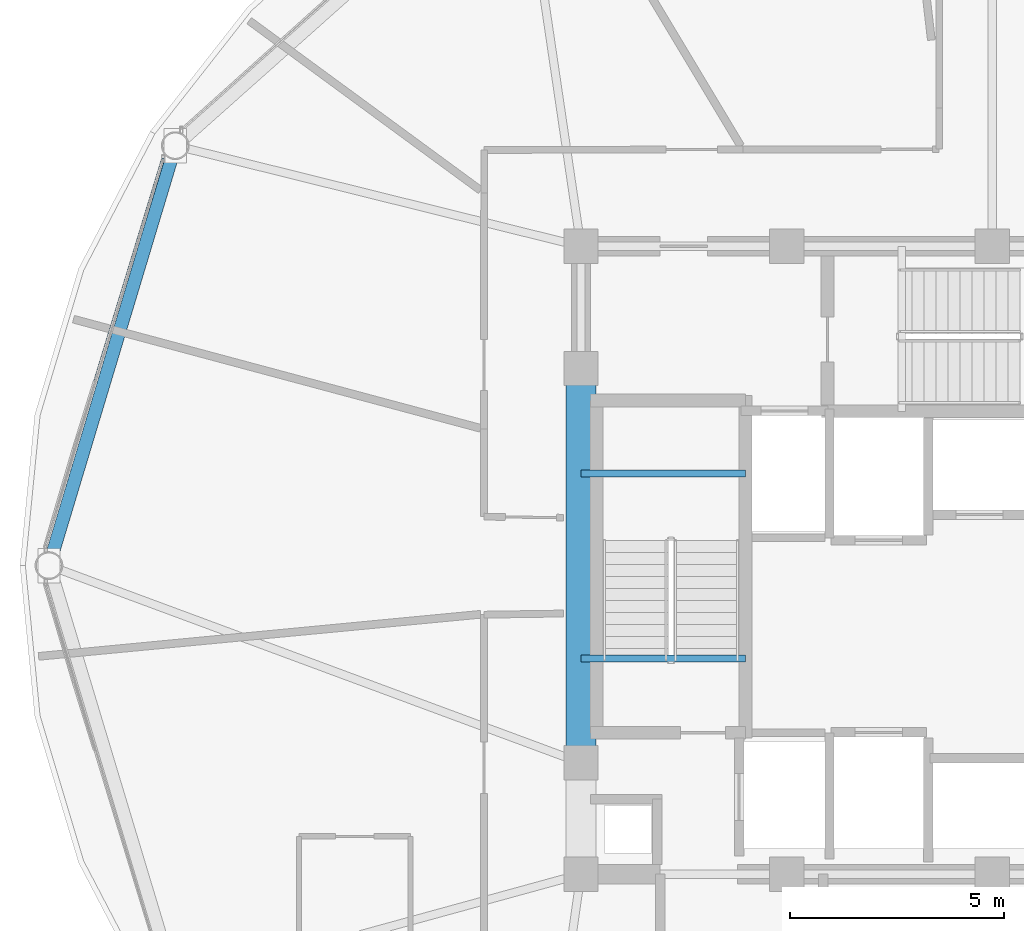
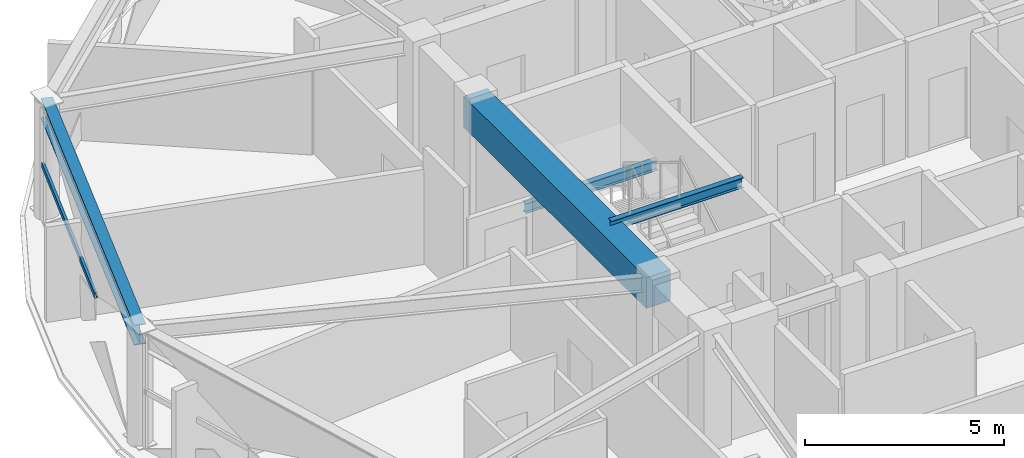
# One storey, part 8 of 28: 4 beams, 1 member, 1 element without a shape of its own.
"""IFC4 building model written with IfcOpenShell, lengths in metres."""

from ifc_helpers import new_model, si_unit, direction, frame, origin, origin_2d, place, context, subcontext, project, spatial, rectangle, hollow_rectangle, i_section, extrude, material, layer, layer_set, material_profile, profile_set, type_object, element, aggregate, save


model = new_model("IFC4")

# Units and contexts
model_context = context("Model", 3, precision=1e-05, world=origin(), true_north=direction((0.0, 1.0)))
body_context = subcontext(model_context, "Body", "Model", "MODEL_VIEW")
ifc_project = project(units=[si_unit("LENGTHUNIT", "METRE"), si_unit("AREAUNIT", "SQUARE_METRE"), si_unit("VOLUMEUNIT", "CUBIC_METRE"), si_unit("PLANEANGLEUNIT", "RADIAN"), si_unit("MASSUNIT", "GRAM", prefix="KILO")], contexts=[model_context])

# Site, building, storey
site_placement = place(None, origin())
site = spatial("IfcSite", under=ifc_project, at=site_placement, CompositionType="ELEMENT")
building_placement = place(site_placement, origin())
building = spatial("IfcBuilding", under=site, at=building_placement, Name="Vantalir Tower", CompositionType="ELEMENT")
storey_placement = place(building_placement, frame((0.0, 0.0, 223.64990234375)))
storey = spatial("IfcBuildingStorey", under=building, at=storey_placement, Name="L56", CompositionType="ELEMENT", Elevation=223.64990234375)

# Beams
ifc_material_1 = material(Name="Concrete C60/75", Category="concrete")
ifc_material_profile_1 = material_profile(ifc_material_1, rectangle(XDim=0.699951171875, YDim=0.949951171875, at=origin_2d()), Name="Concrete C60/75")
ifc_profile_set_1 = profile_set([ifc_material_profile_1], Name="Concrete C60/75")
beam_type_1 = type_object("IfcBeamType", Name="BM-CB-700x950", PredefinedType="USERDEFINED", material=ifc_profile_set_1)
beam_1_placement = place(storey_placement, frame((21.89990234375, 29.60009765625, 3.09521484375), z_axis=(0.0, -1.0, 0.0), x_axis=(1.0, 0.0, 0.0)))
element("IfcBeam", 1, at=beam_1_placement, inside=storey, type_object=beam_type_1, Name="L56 Core Coupling Girder 13", ObjectType="GIRDER", PredefinedType="USERDEFINED", context=body_context, shape_type="SweptSolid", body=[
    extrude(rectangle(XDim=0.699951171875, YDim=0.949951171875, at=origin_2d()), origin(), (0.0, 0.0, 1.0), 9.2001953125),
])
ifc_material_2 = material(Name="Steel S355", Category="steel")
ifc_material_profile_2 = material_profile(ifc_material_2, i_section(OverallWidth=0.166015625, OverallDepth=0.306884765625, WebThickness=0.006591796875, FlangeThickness=0.01171875, at=origin_2d()), Name="Steel S355")
ifc_profile_set_2 = profile_set([ifc_material_profile_2], Name="Steel S355")
beam_type_2 = type_object("IfcBeamType", Name="BM-JS-305x165", PredefinedType="JOIST", material=ifc_profile_set_2)
for number, where, z_axis, x_axis, name in (
    (2, (21.89990234375, 22.8349609375, 3.59619140625), (1.0, 0.0, 0.0), (0.0, 1.0, 0.0), "L57 Stair ST1 Well Nosing Trimmer Beam"),
    (3, (21.89990234375, 27.14501953125, 1.52099609375), (1.0, 0.0, 0.0), (0.0, 1.0, 0.0), "L56 Stair ST1 Half-Landing Support Beam"),
):
    element("IfcBeam", number, at=place(storey_placement, frame(where, z_axis=z_axis, x_axis=x_axis)), inside=storey, type_object=beam_type_2, Name=name, PredefinedType="JOIST", context=body_context, shape_type="SweptSolid", body=[
        extrude(i_section(OverallWidth=0.166015625, OverallDepth=0.306884765625, WebThickness=0.006591796875, FlangeThickness=0.01171875, at=origin_2d()), origin(), (0.0, 0.0, 1.0), 3.840087890625),
    ])
ifc_material_3 = material(Name="Steel S460", Category="steel")
ifc_material_profile_3 = material_profile(ifc_material_3, i_section(OverallWidth=0.306884765625, OverallDepth=0.6201171875, WebThickness=0.01416015625, FlangeThickness=0.023681640625, at=origin_2d()), Name="Steel S460")
ifc_profile_set_3 = profile_set([ifc_material_profile_3], Name="Steel S460")
beam_type_3 = type_object("IfcBeamType", Name="BM-RG-610x305", PredefinedType="USERDEFINED", material=ifc_profile_set_3)
beam_2_placement = place(storey_placement, frame((12.43603515625, 34.798095703125, 3.260009765625), z_axis=(-0.288203662464, -0.957569135333, 0.0), x_axis=(0.957569135333, -0.288203662464, 0.0)))
element("IfcBeam", 4, at=beam_2_placement, inside=storey, type_object=beam_type_3, Name="L56 Circumferential Ring Girder 06", ObjectType="GIRDER", PredefinedType="USERDEFINED", context=body_context, shape_type="SweptSolid", body=[
    extrude(i_section(OverallWidth=0.306884765625, OverallDepth=0.6201171875, WebThickness=0.01416015625, FlangeThickness=0.023681640625, at=origin_2d()), origin(), (0.0, 0.0, 1.0), 10.232177734375),
])

# Curtain wall, member
ifc_material_4 = material(Name="Champagne-silver PVDF aluminium and double-silver Low-E glass", Category="aluminium")
ifc_layer = layer(ifc_material_4, 0.2099609375)
ifc_layer_set = layer_set([ifc_layer], Name="Champagne-silver PVDF aluminium and double-silver Low-E glass")
curtain_wall_type = type_object("IfcCurtainWallType", Name="CW-DIAMOND-Z3", PredefinedType="USERDEFINED", material=ifc_layer_set)
curtain_wall_placement = place(storey_placement, origin())
curtain_wall = element("IfcCurtainWall", 5, at=curtain_wall_placement, inside=storey, type_object=curtain_wall_type, Name="L56 Quilted Pyramid-Diamond Curtain Wall S06", ObjectType="UNITISED CURTAIN WALL", PredefinedType="USERDEFINED")
ifc_material_5 = material(Name="Champagne-silver PVDF aluminium 6063-T6", Category="aluminium")
ifc_material_profile_4 = material_profile(ifc_material_5, hollow_rectangle(XDim=0.074951171875, YDim=0.159912109375, WallThickness=0.00390625, at=origin_2d()), Name="Champagne-silver PVDF aluminium 6063-T6")
ifc_profile_set_4 = profile_set([ifc_material_profile_4], Name="Champagne-silver PVDF aluminium 6063-T6")
member_type = type_object("IfcMemberType", Name="CWT-160x75", PredefinedType="USERDEFINED", material=ifc_profile_set_4)
member_placement = place(storey_placement, frame((12.154052734375, 34.5, 1.78515625), z_axis=(-0.291938837117, -0.956436989761, 0.0), x_axis=(0.956436989761, -0.291938837117, 0.0)))
member = element("IfcMember", 6, at=member_placement, type_object=member_type, Name="CW-L56-S06 Pyramid Fold Ridge Transom", ObjectType="TRANSOM", PredefinedType="USERDEFINED", context=body_context, shape_type="SweptSolid", body=[
    extrude(hollow_rectangle(XDim=0.074951171875, YDim=0.159912109375, WallThickness=0.00390625, at=origin_2d()), origin(), (0.0, 0.0, 1.0), 5.899169921875),
])
aggregate(curtain_wall, [member])

save(model, "model.ifc")
